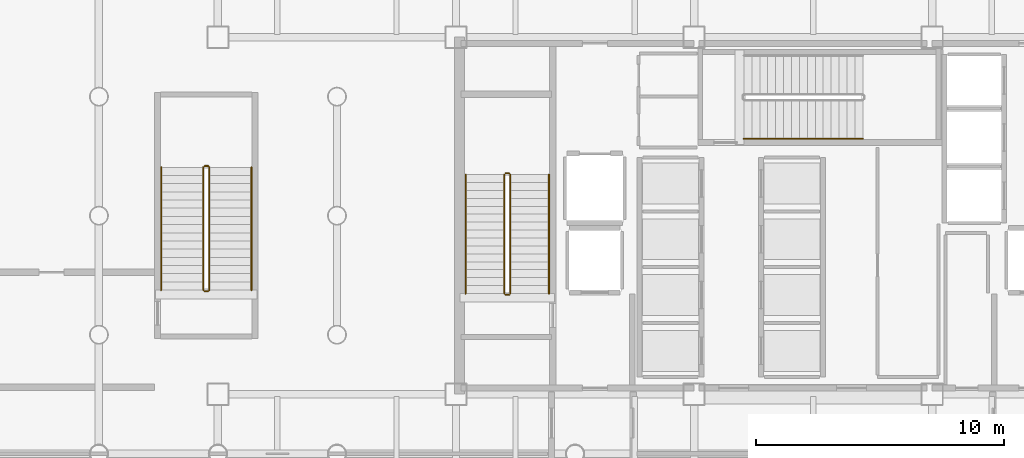
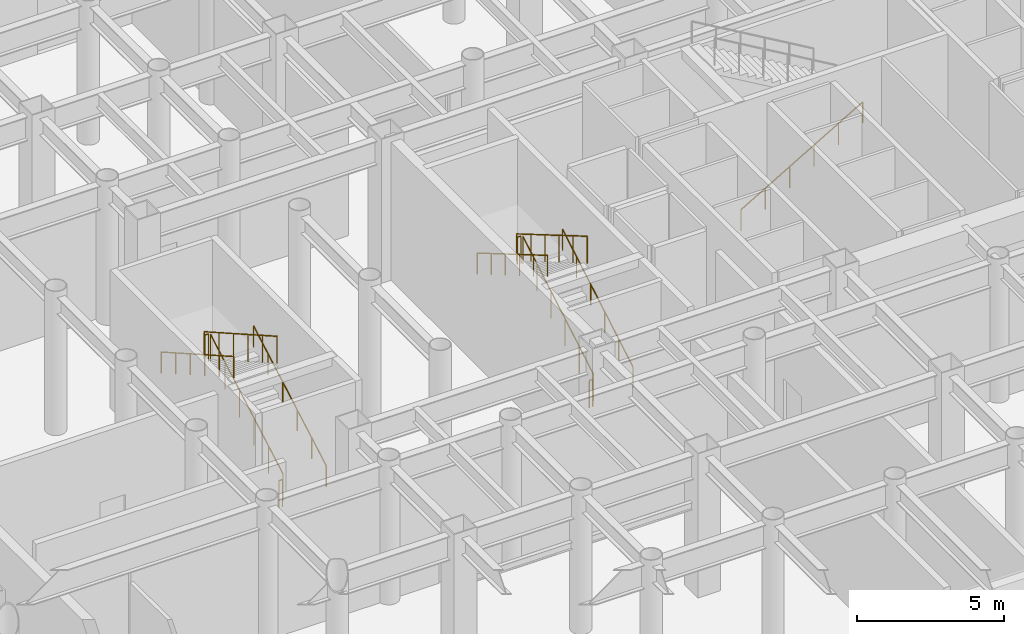
# One storey, part 20 of 23: 13 railings.
"""IFC4 building model written with IfcOpenShell, lengths in metres."""

from ifc_helpers import new_model, si_unit, direction, frame, origin, origin_2d, place, context, subcontext, project, spatial, circle, extrude, material, layer, layer_set, type_object, element, save


model = new_model("IFC4")

# Units and contexts
model_context = context("Model", 3, precision=1e-05, world=origin(), true_north=direction((0.0, 1.0)))
body_context = subcontext(model_context, "Body", "Model", "MODEL_VIEW")
ifc_project = project(units=[si_unit("LENGTHUNIT", "METRE"), si_unit("AREAUNIT", "SQUARE_METRE"), si_unit("VOLUMEUNIT", "CUBIC_METRE"), si_unit("PLANEANGLEUNIT", "RADIAN"), si_unit("MASSUNIT", "GRAM", prefix="KILO")], contexts=[model_context])

# Site, building, storey
site_placement = place(None, origin())
site = spatial("IfcSite", under=ifc_project, at=site_placement, CompositionType="ELEMENT")
building_placement = place(site_placement, origin())
building = spatial("IfcBuilding", under=site, at=building_placement, Name="Kallvorn Hotel Tower", CompositionType="ELEMENT")
storey_placement = place(building_placement, origin())
storey = spatial("IfcBuildingStorey", under=building, at=storey_placement, Name="L00", CompositionType="ELEMENT", Elevation=0.0)

# Railings
ifc_material_1 = material(Name="Brushed stainless-steel tubular railing", Category="steel")
ifc_layer_1 = layer(ifc_material_1, 0.050048828125)
ifc_layer_set_1 = layer_set([ifc_layer_1], Name="RL_STAIR_GUARD")
railing_type_1 = type_object("IfcRailingType", Name="RL_STAIR_GUARD", PredefinedType="GUARDRAIL", material=ifc_layer_set_1)
railing_1_placement = place(storey_placement, frame((-12.2099609375, -3.139892578125, 0.1875)))
element("IfcRailing", 1, at=railing_1_placement, inside=storey, type_object=railing_type_1, Name="L00 ST1 stair guard 1", PredefinedType="GUARDRAIL", context=body_context, shape_type="SweptSolid", body=[
    extrude(circle(Radius=0.02392578125, at=origin_2d()), frame((0.0, 0.0, 1.1259765625), z_axis=(0.0, 0.862790387251, 0.505561813893), x_axis=(-1.0, 0.0, 0.0)), (0.0, 0.0, 1.0), 5.563232421875),
    extrude(circle(Radius=0.02099609375, at=origin_2d()), origin(), (0.0, 0.0, 1.0), 1.101806640625),
    extrude(circle(Radius=0.02099609375, at=origin_2d()), frame((0.0, 0.9599609375, 0.5625)), (0.0, 0.0, 1.0), 1.101806640625),
    extrude(circle(Radius=0.02099609375, at=origin_2d()), frame((0.0, 1.919921875, 1.125)), (0.0, 0.0, 1.0), 1.101806640625),
    extrude(circle(Radius=0.02099609375, at=origin_2d()), frame((0.0, 2.8798828125, 1.6875)), (0.0, 0.0, 1.0), 1.101806640625),
    extrude(circle(Radius=0.02099609375, at=origin_2d()), frame((0.0, 3.83984375, 2.25)), (0.0, 0.0, 1.0), 1.101806640625),
    extrude(circle(Radius=0.02099609375, at=origin_2d()), frame((0.0, 4.7998046875, 2.8125)), (0.0, 0.0, 1.0), 1.101806640625),
])
railing_2_placement = place(storey_placement, frame((-12.260009765625, 1.7099609375, 3.0)))
element("IfcRailing", 2, at=railing_2_placement, inside=storey, type_object=railing_type_1, Name="L00 ST1 stair guard 2", PredefinedType="GUARDRAIL", context=body_context, shape_type="SweptSolid", body=[
    extrude(circle(Radius=0.02392578125, at=origin_2d()), frame((0.0, 0.0, 1.1259765625), z_axis=(-1.0, 0.0, 0.0), x_axis=(0.0, -1.0, 0.0)), (0.0, 0.0, 1.0), 0.139892578125),
    extrude(circle(Radius=0.02099609375, at=origin_2d()), origin(), (0.0, 0.0, 1.0), 1.101806640625),
    extrude(circle(Radius=0.02099609375, at=origin_2d()), frame((-0.139892578125, 0.0, 0.0)), (0.0, 0.0, 1.0), 1.101806640625),
])
railing_3_placement = place(storey_placement, frame((-12.449951171875, 1.659912109375, 3.1875)))
element("IfcRailing", 3, at=railing_3_placement, inside=storey, type_object=railing_type_1, Name="L00 ST1 stair guard 3", PredefinedType="GUARDRAIL", context=body_context, shape_type="SweptSolid", body=[
    extrude(circle(Radius=0.02392578125, at=origin_2d()), frame((0.0, 0.0, 1.1259765625), z_axis=(0.0, -0.862790387251, 0.505561813893), x_axis=(1.0, 0.0, 0.0)), (0.0, 0.0, 1.0), 5.563232421875),
    extrude(circle(Radius=0.02099609375, at=origin_2d()), origin(), (0.0, 0.0, 1.0), 1.101806640625),
    extrude(circle(Radius=0.02099609375, at=origin_2d()), frame((0.0, -0.9599609375, 0.5625)), (0.0, 0.0, 1.0), 1.101806640625),
    extrude(circle(Radius=0.02099609375, at=origin_2d()), frame((0.0, -1.919921875, 1.125)), (0.0, 0.0, 1.0), 1.101806640625),
    extrude(circle(Radius=0.02099609375, at=origin_2d()), frame((0.0, -2.8798828125, 1.6875)), (0.0, 0.0, 1.0), 1.101806640625),
    extrude(circle(Radius=0.02099609375, at=origin_2d()), frame((0.0, -3.83984375, 2.25)), (0.0, 0.0, 1.0), 1.101806640625),
    extrude(circle(Radius=0.02099609375, at=origin_2d()), frame((0.0, -4.7998046875, 2.8125)), (0.0, 0.0, 1.0), 1.101806640625),
])
railing_4_placement = place(storey_placement, frame((-12.260009765625, -3.18994140625, 0.0)))
element("IfcRailing", 4, at=railing_4_placement, inside=storey, type_object=railing_type_1, Name="L00 ST1 stair guard 4", PredefinedType="GUARDRAIL", context=body_context, shape_type="SweptSolid", body=[
    extrude(circle(Radius=0.02392578125, at=origin_2d()), frame((0.0, 0.0, 1.1259765625), z_axis=(-1.0, 0.0, 0.0), x_axis=(0.0, -1.0, 0.0)), (0.0, 0.0, 1.0), 0.139892578125),
    extrude(circle(Radius=0.02099609375, at=origin_2d()), origin(), (0.0, 0.0, 1.0), 1.101806640625),
    extrude(circle(Radius=0.02099609375, at=origin_2d()), frame((-0.139892578125, 0.0, 0.0)), (0.0, 0.0, 1.0), 1.101806640625),
])
railing_5_placement = place(storey_placement, frame((-24.35009765625, -3.0, 0.1875)))
element("IfcRailing", 5, at=railing_5_placement, inside=storey, type_object=railing_type_1, Name="L00 ST4 stair guard 1", PredefinedType="GUARDRAIL", context=body_context, shape_type="SweptSolid", body=[
    extrude(circle(Radius=0.02392578125, at=origin_2d()), frame((0.0, 0.0, 1.1259765625), z_axis=(0.0, 0.869454464302, 0.494013091431), x_axis=(-1.0, 0.0, 0.0)), (0.0, 0.0, 1.0), 5.693115234375),
    extrude(circle(Radius=0.02099609375, at=origin_2d()), origin(), (0.0, 0.0, 1.0), 1.101806640625),
    extrude(circle(Radius=0.02099609375, at=origin_2d()), frame((0.0, 0.989990234375, 0.5625)), (0.0, 0.0, 1.0), 1.101806640625),
    extrude(circle(Radius=0.02099609375, at=origin_2d()), frame((0.0, 1.97998046875, 1.125)), (0.0, 0.0, 1.0), 1.101806640625),
    extrude(circle(Radius=0.02099609375, at=origin_2d()), frame((0.0, 2.969970703125, 1.6875)), (0.0, 0.0, 1.0), 1.101806640625),
    extrude(circle(Radius=0.02099609375, at=origin_2d()), frame((0.0, 3.9599609375, 2.25)), (0.0, 0.0, 1.0), 1.101806640625),
    extrude(circle(Radius=0.02099609375, at=origin_2d()), frame((0.0, 4.949951171875, 2.8125)), (0.0, 0.0, 1.0), 1.101806640625),
])
railing_6_placement = place(storey_placement, frame((-24.39990234375, 2.0, 3.0)))
element("IfcRailing", 6, at=railing_6_placement, inside=storey, type_object=railing_type_1, Name="L00 ST4 stair guard 2", PredefinedType="GUARDRAIL", context=body_context, shape_type="SweptSolid", body=[
    extrude(circle(Radius=0.02392578125, at=origin_2d()), frame((0.0, 0.0, 1.1259765625), z_axis=(-1.0, 0.0, 0.0), x_axis=(0.0, -1.0, 0.0)), (0.0, 0.0, 1.0), 0.14013671875),
    extrude(circle(Radius=0.02099609375, at=origin_2d()), origin(), (0.0, 0.0, 1.0), 1.101806640625),
    extrude(circle(Radius=0.02099609375, at=origin_2d()), frame((-0.14013671875, 0.0, 0.0)), (0.0, 0.0, 1.0), 1.101806640625),
])
railing_7_placement = place(storey_placement, frame((-24.590087890625, 1.949951171875, 3.1875)))
element("IfcRailing", 7, at=railing_7_placement, inside=storey, type_object=railing_type_1, Name="L00 ST4 stair guard 3", PredefinedType="GUARDRAIL", context=body_context, shape_type="SweptSolid", body=[
    extrude(circle(Radius=0.02392578125, at=origin_2d()), frame((0.0, 0.0, 1.1259765625), z_axis=(0.0, -0.869454464302, 0.494013091431), x_axis=(1.0, 0.0, 0.0)), (0.0, 0.0, 1.0), 5.693115234375),
    extrude(circle(Radius=0.02099609375, at=origin_2d()), origin(), (0.0, 0.0, 1.0), 1.101806640625),
    extrude(circle(Radius=0.02099609375, at=origin_2d()), frame((0.0, -0.989990234375, 0.5625)), (0.0, 0.0, 1.0), 1.101806640625),
    extrude(circle(Radius=0.02099609375, at=origin_2d()), frame((0.0, -1.97998046875, 1.125)), (0.0, 0.0, 1.0), 1.101806640625),
    extrude(circle(Radius=0.02099609375, at=origin_2d()), frame((0.0, -2.969970703125, 1.6875)), (0.0, 0.0, 1.0), 1.101806640625),
    extrude(circle(Radius=0.02099609375, at=origin_2d()), frame((0.0, -3.9599609375, 2.25)), (0.0, 0.0, 1.0), 1.101806640625),
    extrude(circle(Radius=0.02099609375, at=origin_2d()), frame((0.0, -4.949951171875, 2.8125)), (0.0, 0.0, 1.0), 1.101806640625),
])
railing_8_placement = place(storey_placement, frame((-24.39990234375, -3.050048828125, 0.0)))
element("IfcRailing", 8, at=railing_8_placement, inside=storey, type_object=railing_type_1, Name="L00 ST4 stair guard 4", PredefinedType="GUARDRAIL", context=body_context, shape_type="SweptSolid", body=[
    extrude(circle(Radius=0.02392578125, at=origin_2d()), frame((0.0, 0.0, 1.1259765625), z_axis=(-1.0, 0.0, 0.0), x_axis=(0.0, -1.0, 0.0)), (0.0, 0.0, 1.0), 0.14013671875),
    extrude(circle(Radius=0.02099609375, at=origin_2d()), origin(), (0.0, 0.0, 1.0), 1.101806640625),
    extrude(circle(Radius=0.02099609375, at=origin_2d()), frame((-0.14013671875, 0.0, 0.0)), (0.0, 0.0, 1.0), 1.101806640625),
])
ifc_material_2 = material(Name="Brushed stainless-steel tubular railing", Category="steel")
ifc_layer_2 = layer(ifc_material_2, 0.050048828125)
ifc_layer_set_2 = layer_set([ifc_layer_2], Name="RL_STAIR_HAND")
railing_type_2 = type_object("IfcRailingType", Name="RL_STAIR_HAND", PredefinedType="HANDRAIL", material=ifc_layer_set_2)
railing_9_placement = place(storey_placement, frame((-10.64990234375, -3.139892578125, 0.1875)))
element("IfcRailing", 9, at=railing_9_placement, inside=storey, type_object=railing_type_2, Name="L00 ST1 stair handrail 1", PredefinedType="HANDRAIL", context=body_context, shape_type="SweptSolid", body=[
    extrude(circle(Radius=0.02392578125, at=origin_2d()), frame((0.0, 0.0, 0.8759765625), z_axis=(0.0, 0.862790387251, 0.505561813893), x_axis=(-1.0, 0.0, 0.0)), (0.0, 0.0, 1.0), 5.563232421875),
    extrude(circle(Radius=0.02099609375, at=origin_2d()), origin(), (0.0, 0.0, 1.0), 0.851806640625),
    extrude(circle(Radius=0.02099609375, at=origin_2d()), frame((0.0, 0.9599609375, 0.5625)), (0.0, 0.0, 1.0), 0.851806640625),
    extrude(circle(Radius=0.02099609375, at=origin_2d()), frame((0.0, 1.919921875, 1.125)), (0.0, 0.0, 1.0), 0.851806640625),
    extrude(circle(Radius=0.02099609375, at=origin_2d()), frame((0.0, 2.8798828125, 1.6875)), (0.0, 0.0, 1.0), 0.851806640625),
    extrude(circle(Radius=0.02099609375, at=origin_2d()), frame((0.0, 3.83984375, 2.25)), (0.0, 0.0, 1.0), 0.851806640625),
    extrude(circle(Radius=0.02099609375, at=origin_2d()), frame((0.0, 4.7998046875, 2.8125)), (0.0, 0.0, 1.0), 0.851806640625),
])
railing_10_placement = place(storey_placement, frame((-14.010009765625, 1.659912109375, 3.1875)))
element("IfcRailing", 10, at=railing_10_placement, inside=storey, type_object=railing_type_2, Name="L00 ST1 stair handrail 2", PredefinedType="HANDRAIL", context=body_context, shape_type="SweptSolid", body=[
    extrude(circle(Radius=0.02392578125, at=origin_2d()), frame((0.0, 0.0, 0.8759765625), z_axis=(0.0, -0.862790387251, 0.505561813893), x_axis=(1.0, 0.0, 0.0)), (0.0, 0.0, 1.0), 5.563232421875),
    extrude(circle(Radius=0.02099609375, at=origin_2d()), origin(), (0.0, 0.0, 1.0), 0.851806640625),
    extrude(circle(Radius=0.02099609375, at=origin_2d()), frame((0.0, -0.9599609375, 0.5625)), (0.0, 0.0, 1.0), 0.851806640625),
    extrude(circle(Radius=0.02099609375, at=origin_2d()), frame((0.0, -1.919921875, 1.125)), (0.0, 0.0, 1.0), 0.851806640625),
    extrude(circle(Radius=0.02099609375, at=origin_2d()), frame((0.0, -2.8798828125, 1.6875)), (0.0, 0.0, 1.0), 0.851806640625),
    extrude(circle(Radius=0.02099609375, at=origin_2d()), frame((0.0, -3.83984375, 2.25)), (0.0, 0.0, 1.0), 0.851806640625),
    extrude(circle(Radius=0.02099609375, at=origin_2d()), frame((0.0, -4.7998046875, 2.8125)), (0.0, 0.0, 1.0), 0.851806640625),
])
railing_11_placement = place(storey_placement, frame((-2.7900390625, 3.10009765625, 0.1875)))
element("IfcRailing", 11, at=railing_11_placement, inside=storey, type_object=railing_type_2, Name="L00 ST3 stair handrail 1", PredefinedType="HANDRAIL", context=body_context, shape_type="SweptSolid", body=[
    extrude(circle(Radius=0.02392578125, at=origin_2d()), frame((0.0, 0.0, 0.8759765625), z_axis=(0.862801603449, 0.0, 0.505542671875), x_axis=(0.0, 1.0, 0.0)), (0.0, 0.0, 1.0), 5.563232421875),
    extrude(circle(Radius=0.02099609375, at=origin_2d()), origin(), (0.0, 0.0, 1.0), 0.851806640625),
    extrude(circle(Radius=0.02099609375, at=origin_2d()), frame((0.9599609375, 0.0, 0.5625)), (0.0, 0.0, 1.0), 0.851806640625),
    extrude(circle(Radius=0.02099609375, at=origin_2d()), frame((1.919921875, 0.0, 1.125)), (0.0, 0.0, 1.0), 0.851806640625),
    extrude(circle(Radius=0.02099609375, at=origin_2d()), frame((2.880126953125, 0.0, 1.6875)), (0.0, 0.0, 1.0), 0.851806640625),
    extrude(circle(Radius=0.02099609375, at=origin_2d()), frame((3.840087890625, 0.0, 2.25)), (0.0, 0.0, 1.0), 0.851806640625),
    extrude(circle(Radius=0.02099609375, at=origin_2d()), frame((4.800048828125, 0.0, 2.8125)), (0.0, 0.0, 1.0), 0.851806640625),
])
railing_12_placement = place(storey_placement, frame((-22.64990234375, -3.0, 0.1875)))
element("IfcRailing", 12, at=railing_12_placement, inside=storey, type_object=railing_type_2, Name="L00 ST4 stair handrail 1", PredefinedType="HANDRAIL", context=body_context, shape_type="SweptSolid", body=[
    extrude(circle(Radius=0.02392578125, at=origin_2d()), frame((0.0, 0.0, 0.8759765625), z_axis=(0.0, 0.869454464302, 0.494013091431), x_axis=(-1.0, 0.0, 0.0)), (0.0, 0.0, 1.0), 5.693115234375),
    extrude(circle(Radius=0.02099609375, at=origin_2d()), origin(), (0.0, 0.0, 1.0), 0.851806640625),
    extrude(circle(Radius=0.02099609375, at=origin_2d()), frame((0.0, 0.989990234375, 0.5625)), (0.0, 0.0, 1.0), 0.851806640625),
    extrude(circle(Radius=0.02099609375, at=origin_2d()), frame((0.0, 1.97998046875, 1.125)), (0.0, 0.0, 1.0), 0.851806640625),
    extrude(circle(Radius=0.02099609375, at=origin_2d()), frame((0.0, 2.969970703125, 1.6875)), (0.0, 0.0, 1.0), 0.851806640625),
    extrude(circle(Radius=0.02099609375, at=origin_2d()), frame((0.0, 3.9599609375, 2.25)), (0.0, 0.0, 1.0), 0.851806640625),
    extrude(circle(Radius=0.02099609375, at=origin_2d()), frame((0.0, 4.949951171875, 2.8125)), (0.0, 0.0, 1.0), 0.851806640625),
])
railing_13_placement = place(storey_placement, frame((-26.2900390625, 1.949951171875, 3.1875)))
element("IfcRailing", 13, at=railing_13_placement, inside=storey, type_object=railing_type_2, Name="L00 ST4 stair handrail 2", PredefinedType="HANDRAIL", context=body_context, shape_type="SweptSolid", body=[
    extrude(circle(Radius=0.02392578125, at=origin_2d()), frame((0.0, 0.0, 0.8759765625), z_axis=(0.0, -0.869454464302, 0.494013091431), x_axis=(1.0, 0.0, 0.0)), (0.0, 0.0, 1.0), 5.693115234375),
    extrude(circle(Radius=0.02099609375, at=origin_2d()), origin(), (0.0, 0.0, 1.0), 0.851806640625),
    extrude(circle(Radius=0.02099609375, at=origin_2d()), frame((0.0, -0.989990234375, 0.5625)), (0.0, 0.0, 1.0), 0.851806640625),
    extrude(circle(Radius=0.02099609375, at=origin_2d()), frame((0.0, -1.97998046875, 1.125)), (0.0, 0.0, 1.0), 0.851806640625),
    extrude(circle(Radius=0.02099609375, at=origin_2d()), frame((0.0, -2.969970703125, 1.6875)), (0.0, 0.0, 1.0), 0.851806640625),
    extrude(circle(Radius=0.02099609375, at=origin_2d()), frame((0.0, -3.9599609375, 2.25)), (0.0, 0.0, 1.0), 0.851806640625),
    extrude(circle(Radius=0.02099609375, at=origin_2d()), frame((0.0, -4.949951171875, 2.8125)), (0.0, 0.0, 1.0), 0.851806640625),
])

save(model, "model.ifc")
